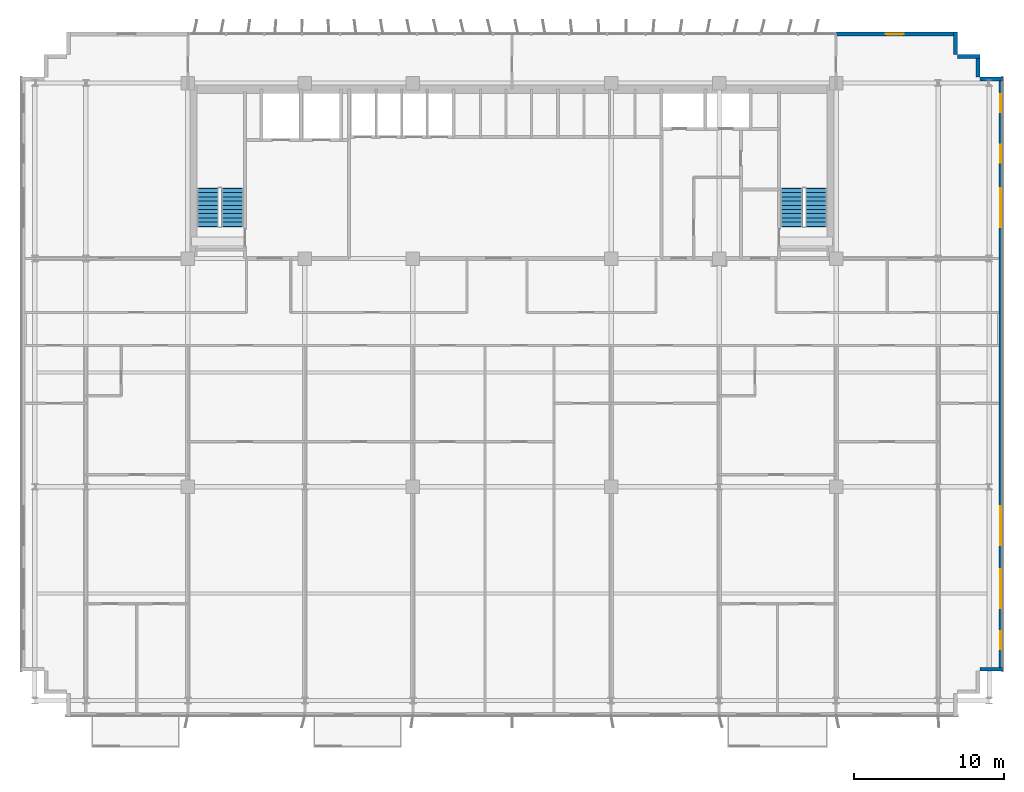
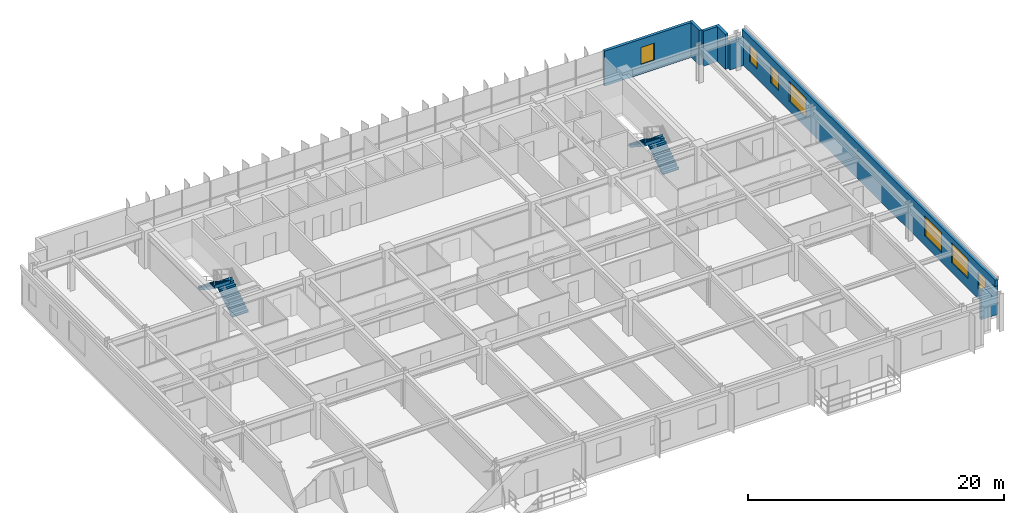
# One storey, part 19 of 22: 7 walls, 7 windows, 4 stair flights, 7 openings, 2 elements without a shape of their own.
"""IFC4 building model written with IfcOpenShell, lengths in metres."""

from ifc_helpers import new_model, si_unit, direction, frame, frame_2d, origin, place, context, subcontext, project, spatial, polyline, rectangle, outline, extrude, source, transform, mapped, material, layer, layer_set, type_object, element, fill, aggregate, save


model = new_model("IFC4")

# Units and contexts
model_context = context("Model", 3, precision=1e-05, world=origin(), true_north=direction((0.0, 1.0)))
body_context = subcontext(model_context, "Body", "Model", "MODEL_VIEW")
ifc_project = project(units=[si_unit("LENGTHUNIT", "METRE"), si_unit("AREAUNIT", "SQUARE_METRE"), si_unit("VOLUMEUNIT", "CUBIC_METRE"), si_unit("PLANEANGLEUNIT", "RADIAN"), si_unit("MASSUNIT", "GRAM", prefix="KILO")], contexts=[model_context])

# Site, building, storey
site_placement = place(None, origin())
site = spatial("IfcSite", under=ifc_project, at=site_placement, CompositionType="ELEMENT")
building_placement = place(site_placement, origin())
building = spatial("IfcBuilding", under=site, at=building_placement, Name="Trelvane Seafront Commons", CompositionType="ELEMENT")
storey_placement = place(building_placement, frame((0.0, 0.0, 55.89990234375)))
storey = spatial("IfcBuildingStorey", under=building, at=storey_placement, Name="L14", CompositionType="ELEMENT", Elevation=55.89990234375)

# Wall, opening, window
ifc_material_1 = material(Name="Precast concrete C40/50", Category="concrete")
ifc_layer = layer(ifc_material_1, 0.260009765625, Name="ARCH-WALL-EXT260")
ifc_layer_set = layer_set([ifc_layer], Name="Precast concrete C40/50")
wall_type = type_object("IfcWallType", Name="ARCH-WALL-EXT260", PredefinedType="SOLIDWALL", material=ifc_layer_set)
wall_1_placement = place(storey_placement, frame((58.800048828125, 48.3701171875, 0.0), z_axis=(0.0, 0.0, 1.0), x_axis=(1.0, 0.0, 0.0)))
wall_1 = element("IfcWall", 1, at=wall_1_placement, inside=storey, type_object=wall_type, Name="EW-L14-NE-0235", PredefinedType="SOLIDWALL", context=body_context, shape_type="SweptSolid", body=[
    extrude(rectangle(XDim=8.0, YDim=0.260009765625, at=frame_2d((4.0, 0.0))), origin(), (0.0, 0.0, 1.0), 3.340087890625),
])
opening_1_placement = place(wall_1_placement, frame((3.30810546875, 0.0, 0.89990234375)))
opening_1 = element("IfcOpeningElement", 2, at=opening_1_placement, cuts=wall_1, Name="Opening W05", PredefinedType="OPENING", context=body_context, shape_type="SweptSolid", body=[
    extrude(rectangle(XDim=1.199951171875, YDim=1.64990234375, at=frame_2d((0.60009765625, 0.824951171875))), frame((0.0, 0.139892578125, 0.0), z_axis=(0.0, -1.0, 0.0), x_axis=(1.0, 0.0, 0.0)), (0.0, 0.0, 1.0), 0.280029296875),
])
ifc_material_2 = material(Name="Low-E coastal double glazing", Category="glass")
window_type_1 = type_object("IfcWindowType", Name="ARCH-WIN-W05", PartitioningType="SINGLE_PANEL", PredefinedType="WINDOW", material=ifc_material_2)
shared_shape_1 = source(origin(), body_context, "Body", "SweptSolid", [
    extrude(rectangle(XDim=1.199951171875, YDim=1.64990234375, at=frame_2d((0.60009765625, 0.824951171875))), frame((0.0, 0.030029296875, 0.0), z_axis=(0.0, -1.0, 0.0), x_axis=(1.0, 0.0, 0.0)), (0.0, 0.0, 1.0), 0.06005859375),
])
window_1_placement = place(opening_1_placement, origin())
window_1 = element("IfcWindow", 3, at=window_1_placement, inside=storey, type_object=window_type_1, Name="WIN-L14-00289", OverallHeight=1.64990234375, OverallWidth=1.199951171875, PartitioningType="SINGLE_PANEL", PredefinedType="WINDOW", context=body_context, shape_type="MappedRepresentation", body=[
    mapped(shared_shape_1, transform((0.0, 0.0, 0.0), x_axis=(1.0, 0.0, 0.0), y_axis=(0.0, 1.0, 0.0), z_axis=(0.0, 0.0, 1.0), scale=1.0)),
])
fill(opening_1, window_1)

# Walls
for number, where, z_axis, x_axis, name in (
    (4, (66.77001953125, 48.5, 0.0), (0.0, 0.0, 1.0), (0.0, -1.0, 0.0), "EW-L14-00244"),
    (5, (66.89990234375, 46.8701171875, 0.0), (0.0, 0.0, 1.0), (1.0, 0.0, 0.0), "EW-L14-00245"),
    (6, (68.27001953125, 47.0, 0.0), (0.0, 0.0, 1.0), (0.0, -1.0, 0.0), "EW-L14-00246"),
):
    element("IfcWall", number, at=place(storey_placement, frame(where, z_axis=z_axis, x_axis=x_axis)), inside=storey, type_object=wall_type, Name=name, PredefinedType="SOLIDWALL", context=body_context, shape_type="SweptSolid", body=[
        extrude(rectangle(XDim=1.5, YDim=0.260009765625, at=frame_2d((0.75, 0.0))), origin(), (0.0, 0.0, 1.0), 3.340087890625),
    ])
wall_2_placement = place(storey_placement, frame((68.39990234375, 45.3701171875, 0.0), z_axis=(0.0, 0.0, 1.0), x_axis=(1.0, 0.0, 0.0)))
element("IfcWall", 7, at=wall_2_placement, inside=storey, type_object=wall_type, Name="EW-L14-00247", PredefinedType="SOLIDWALL", context=body_context, shape_type="SweptSolid", body=[
    extrude(rectangle(XDim=1.5, YDim=0.260009765625, at=frame_2d((0.75, 0.0))), origin(), (0.0, 0.0, 1.0), 2.690185546875),
])

# Wall, openings, windows
wall_3_placement = place(storey_placement, frame((69.77001953125, 45.5, 0.0), z_axis=(0.0, 0.0, 1.0), x_axis=(0.0, -1.0, 0.0)))
wall_3 = element("IfcWall", 8, at=wall_3_placement, inside=storey, type_object=wall_type, Name="EW-L14-00248", PredefinedType="SOLIDWALL", context=body_context, shape_type="SweptSolid", body=[
    extrude(rectangle(XDim=39.60009765625, YDim=0.260009765625, at=frame_2d((19.800048828125, 0.0))), origin(), (0.0, 0.0, 1.0), 3.340087890625),
])
opening_2_placement = place(wall_3_placement, frame((36.949951171875, 0.0, 0.919921875)))
opening_2 = element("IfcOpeningElement", 9, at=opening_2_placement, cuts=wall_3, Name="Opening W05", PredefinedType="OPENING", context=body_context, shape_type="SweptSolid", body=[
    extrude(rectangle(XDim=1.199951171875, YDim=1.64990234375, at=frame_2d((0.60009765625, 0.824951171875))), frame((0.0, 0.139892578125, 0.0), z_axis=(0.0, -1.0, 0.0), x_axis=(1.0, 0.0, 0.0)), (0.0, 0.0, 1.0), 0.280029296875),
])
opening_3_placement = place(wall_3_placement, frame((32.800048828125, 0.0, 0.919921875)))
opening_3 = element("IfcOpeningElement", 10, at=opening_3_placement, cuts=wall_3, Name="Opening W04", PredefinedType="OPENING", context=body_context, shape_type="SweptSolid", body=[
    extrude(rectangle(XDim=2.60009765625, YDim=1.89990234375, at=frame_2d((1.300048828125, 0.949951171875))), frame((0.0, 0.139892578125, 0.0), z_axis=(0.0, -1.0, 0.0), x_axis=(1.0, 0.0, 0.0)), (0.0, 0.0, 1.0), 0.280029296875),
])
opening_4_placement = place(wall_3_placement, frame((28.60009765625, 0.0, 0.919921875)))
opening_4 = element("IfcOpeningElement", 11, at=opening_4_placement, cuts=wall_3, Name="Opening W04", PredefinedType="OPENING", context=body_context, shape_type="SweptSolid", body=[
    extrude(rectangle(XDim=2.60009765625, YDim=1.89990234375, at=frame_2d((1.300048828125, 0.949951171875))), frame((0.0, 0.139892578125, 0.0), z_axis=(0.0, -1.0, 0.0), x_axis=(1.0, 0.0, 0.0)), (0.0, 0.0, 1.0), 0.280029296875),
])
opening_5_placement = place(wall_3_placement, frame((7.39990234375, 0.0, 0.919921875)))
opening_5 = element("IfcOpeningElement", 12, at=opening_5_placement, cuts=wall_3, Name="Opening W04", PredefinedType="OPENING", context=body_context, shape_type="SweptSolid", body=[
    extrude(rectangle(XDim=2.60009765625, YDim=1.89990234375, at=frame_2d((1.300048828125, 0.949951171875))), frame((0.0, 0.139892578125, 0.0), z_axis=(0.0, -1.0, 0.0), x_axis=(1.0, 0.0, 0.0)), (0.0, 0.0, 1.0), 0.280029296875),
])
opening_6_placement = place(wall_3_placement, frame((4.5, 0.0, 0.919921875)))
opening_6 = element("IfcOpeningElement", 13, at=opening_6_placement, cuts=wall_3, Name="Opening W05", PredefinedType="OPENING", context=body_context, shape_type="SweptSolid", body=[
    extrude(rectangle(XDim=1.199951171875, YDim=1.64990234375, at=frame_2d((0.60009765625, 0.824951171875))), frame((0.0, 0.139892578125, 0.0), z_axis=(0.0, -1.0, 0.0), x_axis=(1.0, 0.0, 0.0)), (0.0, 0.0, 1.0), 0.280029296875),
])
opening_7_placement = place(wall_3_placement, frame((1.14990234375, 0.0, 0.919921875)))
opening_7 = element("IfcOpeningElement", 14, at=opening_7_placement, cuts=wall_3, Name="Opening W05", PredefinedType="OPENING", context=body_context, shape_type="SweptSolid", body=[
    extrude(rectangle(XDim=1.199951171875, YDim=1.64990234375, at=frame_2d((0.60009765625, 0.824951171875))), frame((0.0, 0.139892578125, 0.0), z_axis=(0.0, -1.0, 0.0), x_axis=(1.0, 0.0, 0.0)), (0.0, 0.0, 1.0), 0.280029296875),
])
window_type_2 = type_object("IfcWindowType", Name="ARCH-WIN-W04", PartitioningType="SINGLE_PANEL", PredefinedType="WINDOW", material=ifc_material_2)
shared_shape_2 = source(origin(), body_context, "Body", "SweptSolid", [
    extrude(rectangle(XDim=2.60009765625, YDim=1.89990234375, at=frame_2d((1.300048828125, 0.949951171875))), frame((0.0, 0.030029296875, 0.0), z_axis=(0.0, -1.0, 0.0), x_axis=(1.0, 0.0, 0.0)), (0.0, 0.0, 1.0), 0.06005859375),
])
window_2_placement = place(opening_3_placement, origin())
window_2 = element("IfcWindow", 15, at=window_2_placement, inside=storey, type_object=window_type_2, Name="WIN-L14-EW-00297", OverallHeight=1.89990234375, OverallWidth=2.60009765625, PartitioningType="SINGLE_PANEL", PredefinedType="WINDOW", context=body_context, shape_type="MappedRepresentation", body=[
    mapped(shared_shape_2, transform((0.0, 0.0, 0.0), x_axis=(1.0, 0.0, 0.0), y_axis=(0.0, 1.0, 0.0), z_axis=(0.0, 0.0, 1.0), scale=1.0)),
])
fill(opening_3, window_2)
window_3_placement = place(opening_4_placement, origin())
window_3 = element("IfcWindow", 16, at=window_3_placement, inside=storey, type_object=window_type_2, Name="WIN-L14-EW-00298", OverallHeight=1.89990234375, OverallWidth=2.60009765625, PartitioningType="SINGLE_PANEL", PredefinedType="WINDOW", context=body_context, shape_type="MappedRepresentation", body=[
    mapped(shared_shape_2, transform((0.0, 0.0, 0.0), x_axis=(1.0, 0.0, 0.0), y_axis=(0.0, 1.0, 0.0), z_axis=(0.0, 0.0, 1.0), scale=1.0)),
])
fill(opening_4, window_3)
window_4_placement = place(opening_5_placement, origin())
window_4 = element("IfcWindow", 17, at=window_4_placement, inside=storey, type_object=window_type_2, Name="WIN-L14-EW-00299", OverallHeight=1.89990234375, OverallWidth=2.60009765625, PartitioningType="SINGLE_PANEL", PredefinedType="WINDOW", context=body_context, shape_type="MappedRepresentation", body=[
    mapped(shared_shape_2, transform((0.0, 0.0, 0.0), x_axis=(1.0, 0.0, 0.0), y_axis=(0.0, 1.0, 0.0), z_axis=(0.0, 0.0, 1.0), scale=1.0)),
])
fill(opening_5, window_4)
window_5_placement = place(opening_2_placement, origin())
window_5 = element("IfcWindow", 18, at=window_5_placement, inside=storey, type_object=window_type_1, Name="WIN-L14-EW-00296", OverallHeight=1.64990234375, OverallWidth=1.199951171875, PartitioningType="SINGLE_PANEL", PredefinedType="WINDOW", context=body_context, shape_type="MappedRepresentation", body=[
    mapped(shared_shape_1, transform((0.0, 0.0, 0.0), x_axis=(1.0, 0.0, 0.0), y_axis=(0.0, 1.0, 0.0), z_axis=(0.0, 0.0, 1.0), scale=1.0)),
])
fill(opening_2, window_5)
window_6_placement = place(opening_6_placement, origin())
window_6 = element("IfcWindow", 19, at=window_6_placement, inside=storey, type_object=window_type_1, Name="WIN-L14-EW-00300", OverallHeight=1.64990234375, OverallWidth=1.199951171875, PartitioningType="SINGLE_PANEL", PredefinedType="WINDOW", context=body_context, shape_type="MappedRepresentation", body=[
    mapped(shared_shape_1, transform((0.0, 0.0, 0.0), x_axis=(1.0, 0.0, 0.0), y_axis=(0.0, 1.0, 0.0), z_axis=(0.0, 0.0, 1.0), scale=1.0)),
])
fill(opening_6, window_6)
window_7_placement = place(opening_7_placement, origin())
window_7 = element("IfcWindow", 20, at=window_7_placement, inside=storey, type_object=window_type_1, Name="WIN-L14-EW-00301", OverallHeight=1.64990234375, OverallWidth=1.199951171875, PartitioningType="SINGLE_PANEL", PredefinedType="WINDOW", context=body_context, shape_type="MappedRepresentation", body=[
    mapped(shared_shape_1, transform((0.0, 0.0, 0.0), x_axis=(1.0, 0.0, 0.0), y_axis=(0.0, 1.0, 0.0), z_axis=(0.0, 0.0, 1.0), scale=1.0)),
])
fill(opening_7, window_7)

# Wall
wall_4_placement = place(storey_placement, frame((69.89990234375, 6.030029296875, 0.0), z_axis=(0.0, 0.0, 1.0), x_axis=(-1.0, 0.0, 0.0)))
element("IfcWall", 21, at=wall_4_placement, inside=storey, type_object=wall_type, Name="EW-L14-00249", PredefinedType="SOLIDWALL", context=body_context, shape_type="SweptSolid", body=[
    extrude(rectangle(XDim=1.5, YDim=0.260009765625, at=frame_2d((0.75, 0.0))), origin(), (0.0, 0.0, 1.0), 2.752197265625),
])

# Stair, stair flights
ifc_material_3 = material(Name="Concrete C40/50", Category="concrete")
stair_type_1 = type_object("IfcStairType", Name="ARCH-STR-ST-1-R20-180", PredefinedType="HALF_TURN_STAIR", material=ifc_material_3)
stair_1_placement = place(storey_placement, origin())
stair_1 = element("IfcStair", 22, at=stair_1_placement, inside=storey, type_object=stair_type_1, Name="L14 West Protected Firefighting Exit Stair ST-1", PredefinedType="HALF_TURN_STAIR")
stair_flight_type_1 = type_object("IfcStairFlightType", Name="ARCH-FLG-ST-1-R20-180", PredefinedType="STRAIGHT", material=ifc_material_3)
shared_shape_3 = source(origin(), body_context, "Body", "SweptSolid", [
    extrude(outline(polyline([(-0.050048828125, -0.02001953125), (-0.050048828125, 0.0), (0.0, 0.0), (0.0, 0.179931640625), (0.280029296875, 0.179931640625), (0.280029296875, 0.360107421875), (0.56005859375, 0.360107421875), (0.56005859375, 0.5400390625), (0.840087890625, 0.5400390625), (0.840087890625, 0.719970703125), (1.1201171875, 0.719970703125), (1.1201171875, 0.89990234375), (1.39990234375, 0.89990234375), (1.39990234375, 1.080078125), (1.679931640625, 1.080078125), (1.679931640625, 1.260009765625), (1.9599609375, 1.260009765625), (1.9599609375, 1.43994140625), (2.239990234375, 1.43994140625), (2.239990234375, 1.6201171875), (2.52001953125, 1.6201171875), (2.52001953125, 1.800048828125), (2.570068359375, 1.800048828125), (2.570068359375, 1.650146484375), (2.52001953125, 1.44189453125), (0.277099609375, -0.02001953125), (-0.050048828125, -0.02001953125)])), frame((0.0, 0.72509765625, 0.0), z_axis=(0.0, -1.0, 0.0), x_axis=(1.0, 0.0, 0.0)), (0.0, 0.0, 1.0), 1.449951171875),
])
stair_flight_1_placement = place(storey_placement, frame((18.574951171875, 35.550048828125, 0.0), z_axis=(0.0, 0.0, 1.0), x_axis=(0.0, 1.0, 0.0)))
stair_flight_1 = element("IfcStairFlight", 23, at=stair_flight_1_placement, type_object=stair_flight_type_1, Name="ST-1 flight 1", NumberOfRisers=10, NumberOfTreads=9, PredefinedType="STRAIGHT", RiserHeight=0.18, TreadLength=0.28, context=body_context, shape_type="MappedRepresentation", body=[
    mapped(shared_shape_3, transform((0.0, 0.0, 0.0), x_axis=(1.0, 0.0, 0.0), y_axis=(0.0, 1.0, 0.0), z_axis=(0.0, 0.0, 1.0), scale=1.0)),
])
stair_flight_2_placement = place(storey_placement, frame((16.925048828125, 38.070068359375, 1.800048828125), z_axis=(0.0, 0.0, 1.0), x_axis=(0.0, -1.0, 0.0)))
stair_flight_2 = element("IfcStairFlight", 24, at=stair_flight_2_placement, type_object=stair_flight_type_1, Name="ST-1 flight 2", NumberOfRisers=10, NumberOfTreads=9, PredefinedType="STRAIGHT", RiserHeight=0.18, TreadLength=0.28, context=body_context, shape_type="MappedRepresentation", body=[
    mapped(shared_shape_3, transform((0.0, 0.0, 0.0), x_axis=(1.0, 0.0, 0.0), y_axis=(0.0, 1.0, 0.0), z_axis=(0.0, 0.0, 1.0), scale=1.0)),
])
aggregate(stair_1, [stair_flight_1, stair_flight_2])

stair_type_2 = type_object("IfcStairType", Name="ARCH-STR-ST-2-R20-180", PredefinedType="HALF_TURN_STAIR", material=ifc_material_3)
stair_2_placement = place(storey_placement, origin())
stair_2 = element("IfcStair", 25, at=stair_2_placement, inside=storey, type_object=stair_type_2, Name="L14 East Protected Firefighting Exit Stair ST-2", PredefinedType="HALF_TURN_STAIR")
stair_flight_type_2 = type_object("IfcStairFlightType", Name="ARCH-FLG-ST-2-R20-180", PredefinedType="STRAIGHT", material=ifc_material_3)
stair_flight_3_placement = place(storey_placement, frame((57.47509765625, 35.550048828125, 0.0), z_axis=(0.0, 0.0, 1.0), x_axis=(0.0, 1.0, 0.0)))
stair_flight_3 = element("IfcStairFlight", 26, at=stair_flight_3_placement, type_object=stair_flight_type_2, Name="ST-2 flight 1", NumberOfRisers=10, NumberOfTreads=9, PredefinedType="STRAIGHT", RiserHeight=0.18, TreadLength=0.28, context=body_context, shape_type="MappedRepresentation", body=[
    mapped(shared_shape_3, transform((0.0, 0.0, 0.0), x_axis=(1.0, 0.0, 0.0), y_axis=(0.0, 1.0, 0.0), z_axis=(0.0, 0.0, 1.0), scale=1.0)),
])
stair_flight_4_placement = place(storey_placement, frame((55.824951171875, 38.070068359375, 1.800048828125), z_axis=(0.0, 0.0, 1.0), x_axis=(0.0, -1.0, 0.0)))
stair_flight_4 = element("IfcStairFlight", 27, at=stair_flight_4_placement, type_object=stair_flight_type_2, Name="ST-2 flight 2", NumberOfRisers=10, NumberOfTreads=9, PredefinedType="STRAIGHT", RiserHeight=0.18, TreadLength=0.28, context=body_context, shape_type="MappedRepresentation", body=[
    mapped(shared_shape_3, transform((0.0, 0.0, 0.0), x_axis=(1.0, 0.0, 0.0), y_axis=(0.0, 1.0, 0.0), z_axis=(0.0, 0.0, 1.0), scale=1.0)),
])
aggregate(stair_2, [stair_flight_3, stair_flight_4])

save(model, "model.ifc")
